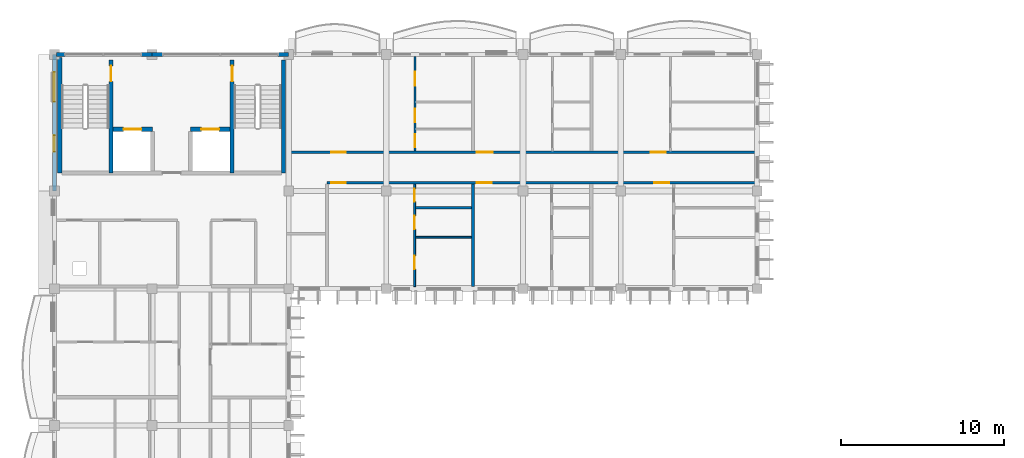
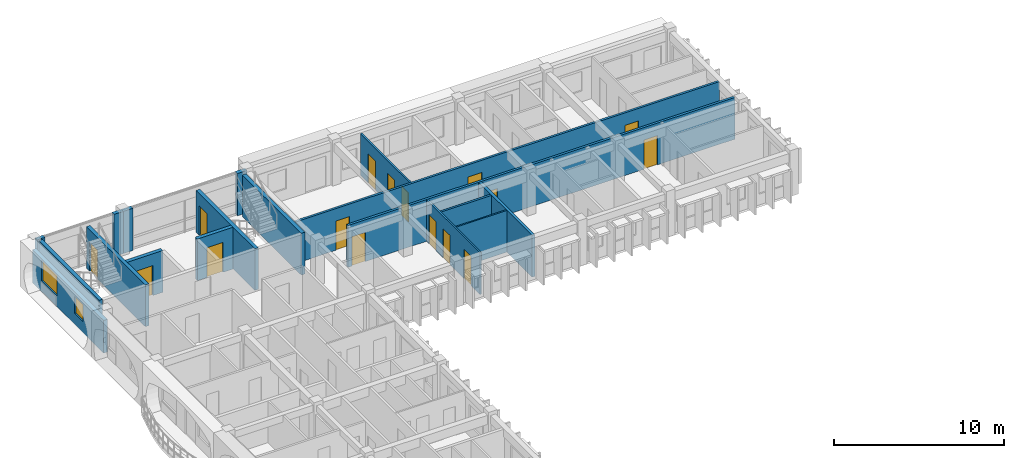
# One storey, part 18 of 45: 18 walls, 16 doors, 2 windows, 18 openings.
"""IFC4 building model written with IfcOpenShell, lengths in metres."""

from ifc_helpers import new_model, si_unit, direction, frame, frame_2d, origin, place, context, subcontext, project, spatial, rectangle, extrude, material, layer, layer_set, type_object, element, fill, save


model = new_model("IFC4")

# Units and contexts
model_context = context("Model", 3, precision=1e-05, world=origin(), true_north=direction((0.0, 1.0)))
body_context = subcontext(model_context, "Body", "Model", "MODEL_VIEW")
ifc_project = project(units=[si_unit("LENGTHUNIT", "METRE"), si_unit("AREAUNIT", "SQUARE_METRE"), si_unit("VOLUMEUNIT", "CUBIC_METRE"), si_unit("PLANEANGLEUNIT", "RADIAN"), si_unit("MASSUNIT", "GRAM", prefix="KILO"), si_unit("THERMODYNAMICTEMPERATUREUNIT", "KELVIN")], contexts=[model_context])

# Site, building, storey
site_placement = place(None, origin())
site = spatial("IfcSite", under=ifc_project, at=site_placement, CompositionType="ELEMENT")
building_placement = place(site_placement, origin())
building = spatial("IfcBuilding", under=site, at=building_placement, Name="Thalorik Housing Commons", CompositionType="ELEMENT")
storey_placement = place(building_placement, frame((0.0, 0.0, 34.5)))
storey = spatial("IfcBuildingStorey", under=building, at=storey_placement, Name="L10", CompositionType="ELEMENT", Elevation=34.5)

# Wall, opening, door
ifc_material_1 = material(Name="Concrete C40/50", Category="concrete")
ifc_layer_1 = layer(ifc_material_1, 0.25, Name="Concrete C40/50", Category="concrete")
ifc_layer_set_1 = layer_set([ifc_layer_1], Name="Concrete C40/50")
wall_type_1 = type_object("IfcWallType", Name="ARC-WAL-CORE-250", PredefinedType="SHEAR", material=ifc_layer_set_1)
wall_1_placement = place(storey_placement, frame((11.875, 123.25, 0.0), z_axis=(0.0, 0.0, 1.0), x_axis=(0.0, -1.0, 0.0)))
wall_1 = element("IfcWall", 1, at=wall_1_placement, inside=storey, type_object=wall_type_1, Name="L10 Core A Stair 1 Shear Wall", PredefinedType="SHEAR", context=body_context, shape_type="SweptSolid", body=[
    extrude(rectangle(XDim=6.925048828125, YDim=0.25, at=frame_2d((3.46240234375, 0.0))), origin(), (0.0, 0.0, 1.0), 3.0),
])
opening_1_placement = place(wall_1_placement, frame((0.35009765625, 0.0, 0.0)))
opening_1 = element("IfcOpeningElement", 2, at=opening_1_placement, cuts=wall_1, Name="Opening ID-0089", PredefinedType="OPENING", context=body_context, shape_type="SweptSolid", body=[
    extrude(rectangle(XDim=0.949951171875, YDim=2.10009765625, at=frame_2d((0.47509765625, 1.050048828125))), frame((0.0, 0.135009765625, 0.0), z_axis=(0.0, -1.0, 0.0), x_axis=(1.0, 0.0, 0.0)), (0.0, 0.0, 1.0), 0.27001953125),
])
ifc_material_2 = material(Name="Steel S355", Category="steel")
door_type_1 = type_object("IfcDoorType", Name="ARC-DR-FD60-950", OperationType="NOTDEFINED", PredefinedType="DOOR", material=ifc_material_2)
door_1_placement = place(opening_1_placement, origin())
door_1 = element("IfcDoor", 3, at=door_1_placement, inside=storey, type_object=door_type_1, Name="L10 Stair ST-A1 Fire Door", OperationType="SINGLE_SWING_RIGHT", OverallHeight=2.10009765625, OverallWidth=0.949951171875, PredefinedType="DOOR", context=body_context, shape_type="SweptSolid", body=[
    extrude(rectangle(XDim=0.949951171875, YDim=2.10009765625, at=frame_2d((0.47509765625, 1.050048828125))), frame((0.0, 0.02490234375, 0.0), z_axis=(0.0, -1.0, 0.0), x_axis=(1.0, 0.0, 0.0)), (0.0, 0.0, 1.0), 0.050048828125),
])
fill(opening_1, door_1)

# Walls
wall_2_placement = place(storey_placement, frame((8.72509765625, 123.39990234375, 0.0), z_axis=(0.0, 0.0, 1.0), x_axis=(0.0, -1.0, 0.0)))
element("IfcWall", 4, at=wall_2_placement, inside=storey, type_object=wall_type_1, Name="L10 Core A Stair 1 Outer Shear Wall", PredefinedType="SHEAR", context=body_context, shape_type="SweptSolid", body=[
    extrude(rectangle(XDim=7.074951171875, YDim=0.25, at=frame_2d((3.53759765625, 0.0))), origin(), (0.0, 0.0, 1.0), 3.0),
])
wall_3_placement = place(storey_placement, frame((22.47509765625, 123.25, 0.0), z_axis=(0.0, 0.0, 1.0), x_axis=(0.0, -1.0, 0.0)))
element("IfcWall", 5, at=wall_3_placement, inside=storey, type_object=wall_type_1, Name="L10 Core A Stair 2 Outer Shear Wall", PredefinedType="SHEAR", context=body_context, shape_type="SweptSolid", body=[
    extrude(rectangle(XDim=6.925048828125, YDim=0.25, at=frame_2d((3.46240234375, 0.0))), origin(), (0.0, 0.0, 1.0), 3.0),
])

# Wall, opening, door
wall_4_placement = place(storey_placement, frame((19.324951171875, 123.25, 0.0), z_axis=(0.0, 0.0, 1.0), x_axis=(0.0, -1.0, 0.0)))
wall_4 = element("IfcWall", 6, at=wall_4_placement, inside=storey, type_object=wall_type_1, Name="L10 Core A Stair 2 Shear Wall", PredefinedType="SHEAR", context=body_context, shape_type="SweptSolid", body=[
    extrude(rectangle(XDim=6.925048828125, YDim=0.25, at=frame_2d((3.46240234375, 0.0))), origin(), (0.0, 0.0, 1.0), 3.0),
])
opening_2_placement = place(wall_4_placement, frame((0.35009765625, 0.0, 0.0)))
opening_2 = element("IfcOpeningElement", 7, at=opening_2_placement, cuts=wall_4, Name="Opening ID-0090", PredefinedType="OPENING", context=body_context, shape_type="SweptSolid", body=[
    extrude(rectangle(XDim=0.949951171875, YDim=2.10009765625, at=frame_2d((0.47509765625, 1.050048828125))), frame((0.0, 0.135009765625, 0.0), z_axis=(0.0, -1.0, 0.0), x_axis=(1.0, 0.0, 0.0)), (0.0, 0.0, 1.0), 0.27001953125),
])
door_2_placement = place(opening_2_placement, origin())
door_2 = element("IfcDoor", 8, at=door_2_placement, inside=storey, type_object=door_type_1, Name="L10 Stair ST-A2 Fire Door", OperationType="SINGLE_SWING_LEFT", OverallHeight=2.10009765625, OverallWidth=0.949951171875, PredefinedType="DOOR", context=body_context, shape_type="SweptSolid", body=[
    extrude(rectangle(XDim=0.949951171875, YDim=2.10009765625, at=frame_2d((0.47509765625, 1.050048828125))), frame((0.0, 0.02490234375, 0.0), z_axis=(0.0, -1.0, 0.0), x_axis=(1.0, 0.0, 0.0)), (0.0, 0.0, 1.0), 0.050048828125),
])
fill(opening_2, door_2)

wall_5_placement = place(storey_placement, frame((12.0, 119.0, 0.0), z_axis=(0.0, 0.0, 1.0), x_axis=(1.0, 0.0, 0.0)))
wall_5 = element("IfcWall", 9, at=wall_5_placement, inside=storey, type_object=wall_type_1, Name="L10 Lift LF-A1 Front Shaft Wall", PredefinedType="SHEAR", context=body_context, shape_type="SweptSolid", body=[
    extrude(rectangle(XDim=2.425048828125, YDim=0.25, at=frame_2d((1.21240234375, 0.0))), origin(), (0.0, 0.0, 1.0), 3.0),
])
opening_3_placement = place(wall_5_placement, frame((0.64990234375, 0.0, 0.0)))
opening_3 = element("IfcOpeningElement", 10, at=opening_3_placement, cuts=wall_5, Name="Opening LD-LF-A1-L10", PredefinedType="OPENING", context=body_context, shape_type="SweptSolid", body=[
    extrude(rectangle(XDim=1.10009765625, YDim=2.14990234375, at=frame_2d((0.550048828125, 1.074951171875))), frame((0.0, 0.135009765625, 0.0), z_axis=(0.0, -1.0, 0.0), x_axis=(1.0, 0.0, 0.0)), (0.0, 0.0, 1.0), 0.27001953125),
])
door_type_2 = type_object("IfcDoorType", Name="ARC-DR-LIFT-1100", OperationType="NOTDEFINED", PredefinedType="DOOR", material=ifc_material_2)
door_3_placement = place(opening_3_placement, origin())
door_3 = element("IfcDoor", 11, at=door_3_placement, inside=storey, type_object=door_type_2, Name="L10 Lift LF-A1 Landing Door", OperationType="SLIDING_TO_LEFT", OverallHeight=2.14990234375, OverallWidth=1.10009765625, PredefinedType="DOOR", context=body_context, shape_type="SweptSolid", body=[
    extrude(rectangle(XDim=1.10009765625, YDim=2.14990234375, at=frame_2d((0.550048828125, 1.074951171875))), frame((0.0, 0.02490234375, 0.0), z_axis=(0.0, -1.0, 0.0), x_axis=(1.0, 0.0, 0.0)), (0.0, 0.0, 1.0), 0.050048828125),
])
fill(opening_3, door_3)

wall_6_placement = place(storey_placement, frame((16.77490234375, 119.0, 0.0), z_axis=(0.0, 0.0, 1.0), x_axis=(1.0, 0.0, 0.0)))
wall_6 = element("IfcWall", 12, at=wall_6_placement, inside=storey, type_object=wall_type_1, Name="L10 Lift LP-A2 Front Shaft Wall", PredefinedType="SHEAR", context=body_context, shape_type="SweptSolid", body=[
    extrude(rectangle(XDim=2.425048828125, YDim=0.25, at=frame_2d((1.21240234375, 0.0))), origin(), (0.0, 0.0, 1.0), 3.0),
])
opening_4_placement = place(wall_6_placement, frame((0.64990234375, 0.0, 0.0)))
opening_4 = element("IfcOpeningElement", 13, at=opening_4_placement, cuts=wall_6, Name="Opening LD-LP-A2-L10", PredefinedType="OPENING", context=body_context, shape_type="SweptSolid", body=[
    extrude(rectangle(XDim=1.10009765625, YDim=2.14990234375, at=frame_2d((0.550048828125, 1.074951171875))), frame((0.0, 0.135009765625, 0.0), z_axis=(0.0, -1.0, 0.0), x_axis=(1.0, 0.0, 0.0)), (0.0, 0.0, 1.0), 0.27001953125),
])
door_4_placement = place(opening_4_placement, origin())
door_4 = element("IfcDoor", 14, at=door_4_placement, inside=storey, type_object=door_type_2, Name="L10 Lift LP-A2 Landing Door", OperationType="SLIDING_TO_LEFT", OverallHeight=2.14990234375, OverallWidth=1.10009765625, PredefinedType="DOOR", context=body_context, shape_type="SweptSolid", body=[
    extrude(rectangle(XDim=1.10009765625, YDim=2.14990234375, at=frame_2d((0.550048828125, 1.074951171875))), frame((0.0, 0.02490234375, 0.0), z_axis=(0.0, -1.0, 0.0), x_axis=(1.0, 0.0, 0.0)), (0.0, 0.0, 1.0), 0.050048828125),
])
fill(opening_4, door_4)

# Wall, openings, doors
ifc_material_3 = material(Name="Masonry fire-rated corridor wall", Category="masonry")
ifc_layer_2 = layer(ifc_material_3, 0.14990234375, Name="Masonry fire-rated corridor wall", Category="masonry")
ifc_layer_set_2 = layer_set([ifc_layer_2], Name="Masonry fire-rated corridor wall")
wall_type_2 = type_object("IfcWallType", Name="ARC-WAL-CORR-150", PredefinedType="PARTITIONING", material=ifc_layer_set_2)
wall_7_placement = place(storey_placement, frame((22.659912109375, 117.580078125, 0.0), z_axis=(0.0, 0.0, 1.0), x_axis=(1.0, 0.0, 0.0)))
wall_7 = element("IfcWall", 15, at=wall_7_placement, inside=storey, type_object=wall_type_2, Name="L10 Block A N Corridor Wall 2", PredefinedType="PARTITIONING", context=body_context, shape_type="SweptSolid", body=[
    extrude(rectangle(XDim=28.8056640625, YDim=0.14990234375, at=frame_2d((14.40283203125, 0.0))), origin(), (0.0, 0.0, 1.0), 3.0),
])
opening_5_placement = place(wall_7_placement, frame((2.739990234375, 0.0, 0.0)))
opening_5 = element("IfcOpeningElement", 16, at=opening_5_placement, cuts=wall_7, Name="Opening ID-0834", PredefinedType="OPENING", context=body_context, shape_type="SweptSolid", body=[
    extrude(rectangle(XDim=0.919921875, YDim=2.10009765625, at=frame_2d((0.4599609375, 1.050048828125))), frame((0.0, 0.0849609375, 0.0), z_axis=(0.0, -1.0, 0.0), x_axis=(1.0, 0.0, 0.0)), (0.0, 0.0, 1.0), 0.169921875),
])
opening_6_placement = place(wall_7_placement, frame((11.7099609375, 0.0, 0.0)))
opening_6 = element("IfcOpeningElement", 17, at=opening_6_placement, cuts=wall_7, Name="Opening ID-0835", PredefinedType="OPENING", context=body_context, shape_type="SweptSolid", body=[
    extrude(rectangle(XDim=0.9599609375, YDim=2.1201171875, at=frame_2d((0.47998046875, 1.06005859375))), frame((0.0, 0.0849609375, 0.0), z_axis=(0.0, -1.0, 0.0), x_axis=(1.0, 0.0, 0.0)), (0.0, 0.0, 1.0), 0.169921875),
])
opening_7_placement = place(wall_7_placement, frame((22.397216796875, 0.0, 0.0)))
opening_7 = element("IfcOpeningElement", 18, at=opening_7_placement, cuts=wall_7, Name="Opening ID-0836", PredefinedType="OPENING", context=body_context, shape_type="SweptSolid", body=[
    extrude(rectangle(XDim=0.919921875, YDim=2.10009765625, at=frame_2d((0.4599609375, 1.050048828125))), frame((0.0, 0.0849609375, 0.0), z_axis=(0.0, -1.0, 0.0), x_axis=(1.0, 0.0, 0.0)), (0.0, 0.0, 1.0), 0.169921875),
])
ifc_material_4 = material(Name="Solid core hardwood timber", Category="wood")
door_type_3 = type_object("IfcDoorType", Name="ARC-DR-FD30-920", OperationType="NOTDEFINED", PredefinedType="DOOR", material=ifc_material_4)
door_5_placement = place(opening_5_placement, origin())
door_5 = element("IfcDoor", 19, at=door_5_placement, inside=storey, type_object=door_type_3, Name="L10 Flat AN-1B Entrance Door", OperationType="SINGLE_SWING_LEFT", OverallHeight=2.10009765625, OverallWidth=0.919921875, PredefinedType="DOOR", context=body_context, shape_type="SweptSolid", body=[
    extrude(rectangle(XDim=0.919921875, YDim=2.10009765625, at=frame_2d((0.4599609375, 1.050048828125))), frame((0.0, 0.02490234375, 0.0), z_axis=(0.0, -1.0, 0.0), x_axis=(1.0, 0.0, 0.0)), (0.0, 0.0, 1.0), 0.050048828125),
])
fill(opening_5, door_5)
door_6_placement = place(opening_7_placement, origin())
door_6 = element("IfcDoor", 20, at=door_6_placement, inside=storey, type_object=door_type_3, Name="L10 Flat AN-3B Entrance Door", OperationType="SINGLE_SWING_LEFT", OverallHeight=2.10009765625, OverallWidth=0.919921875, PredefinedType="DOOR", context=body_context, shape_type="SweptSolid", body=[
    extrude(rectangle(XDim=0.919921875, YDim=2.10009765625, at=frame_2d((0.4599609375, 1.050048828125))), frame((0.0, 0.02490234375, 0.0), z_axis=(0.0, -1.0, 0.0), x_axis=(1.0, 0.0, 0.0)), (0.0, 0.0, 1.0), 0.050048828125),
])
fill(opening_7, door_6)
door_type_4 = type_object("IfcDoorType", Name="ARC-DR-FD30-960", OperationType="NOTDEFINED", PredefinedType="DOOR", material=ifc_material_4)
door_7_placement = place(opening_6_placement, origin())
door_7 = element("IfcDoor", 21, at=door_7_placement, inside=storey, type_object=door_type_4, Name="L10 Flat AN-2B Entrance Door", OperationType="SINGLE_SWING_RIGHT", OverallHeight=2.1201171875, OverallWidth=0.9599609375, PredefinedType="DOOR", context=body_context, shape_type="SweptSolid", body=[
    extrude(rectangle(XDim=0.9599609375, YDim=2.1201171875, at=frame_2d((0.47998046875, 1.06005859375))), frame((0.0, 0.02490234375, 0.0), z_axis=(0.0, -1.0, 0.0), x_axis=(1.0, 0.0, 0.0)), (0.0, 0.0, 1.0), 0.050048828125),
])
fill(opening_6, door_7)

ifc_layer_3 = layer(ifc_material_3, 0.1650390625, Name="Masonry fire-rated corridor wall", Category="masonry")
ifc_layer_set_3 = layer_set([ifc_layer_3], Name="Masonry fire-rated corridor wall")
wall_type_3 = type_object("IfcWallType", Name="ARC-WAL-CORR-165", PredefinedType="PARTITIONING", material=ifc_layer_set_3)
wall_8_placement = place(storey_placement, frame((25.14990234375, 115.719970703125, 0.0), z_axis=(0.0, 0.0, 1.0), x_axis=(1.0, 0.0, 0.0)))
wall_8 = element("IfcWall", 22, at=wall_8_placement, inside=storey, type_object=wall_type_3, Name="L10 Block A N Corridor Wall 1", PredefinedType="PARTITIONING", context=body_context, shape_type="SweptSolid", body=[
    extrude(rectangle(XDim=26.315673828125, YDim=0.1650390625, at=frame_2d((13.15771484375, 0.0))), origin(), (0.0, 0.0, 1.0), 3.0),
])
opening_8_placement = place(wall_8_placement, frame((0.25, 0.0, 0.0)))
opening_8 = element("IfcOpeningElement", 23, at=opening_8_placement, cuts=wall_8, Name="Opening ID-0831", PredefinedType="OPENING", context=body_context, shape_type="SweptSolid", body=[
    extrude(rectangle(XDim=0.919921875, YDim=2.10009765625, at=frame_2d((0.4599609375, 1.050048828125))), frame((0.0, 0.092529296875, 0.0), z_axis=(0.0, -1.0, 0.0), x_axis=(1.0, 0.0, 0.0)), (0.0, 0.0, 1.0), 0.18505859375),
])
opening_9_placement = place(wall_8_placement, frame((9.219970703125, 0.0, 0.0)))
opening_9 = element("IfcOpeningElement", 24, at=opening_9_placement, cuts=wall_8, Name="Opening ID-0832", PredefinedType="OPENING", context=body_context, shape_type="SweptSolid", body=[
    extrude(rectangle(XDim=0.919921875, YDim=2.10009765625, at=frame_2d((0.4599609375, 1.050048828125))), frame((0.0, 0.092529296875, 0.0), z_axis=(0.0, -1.0, 0.0), x_axis=(1.0, 0.0, 0.0)), (0.0, 0.0, 1.0), 0.18505859375),
])
opening_10_placement = place(wall_8_placement, frame((20.110107421875, 0.0, 0.0)))
opening_10 = element("IfcOpeningElement", 25, at=opening_10_placement, cuts=wall_8, Name="Opening ID-0833", PredefinedType="OPENING", context=body_context, shape_type="SweptSolid", body=[
    extrude(rectangle(XDim=0.919921875, YDim=2.10009765625, at=frame_2d((0.4599609375, 1.050048828125))), frame((0.0, 0.092529296875, 0.0), z_axis=(0.0, -1.0, 0.0), x_axis=(1.0, 0.0, 0.0)), (0.0, 0.0, 1.0), 0.18505859375),
])
door_8_placement = place(opening_8_placement, origin())
door_8 = element("IfcDoor", 26, at=door_8_placement, inside=storey, type_object=door_type_3, Name="L10 Flat AN-1A Entrance Door", OperationType="SINGLE_SWING_RIGHT", OverallHeight=2.10009765625, OverallWidth=0.919921875, PredefinedType="DOOR", context=body_context, shape_type="SweptSolid", body=[
    extrude(rectangle(XDim=0.919921875, YDim=2.10009765625, at=frame_2d((0.4599609375, 1.050048828125))), frame((0.0, 0.02490234375, 0.0), z_axis=(0.0, -1.0, 0.0), x_axis=(1.0, 0.0, 0.0)), (0.0, 0.0, 1.0), 0.050048828125),
])
fill(opening_8, door_8)
door_9_placement = place(opening_9_placement, origin())
door_9 = element("IfcDoor", 27, at=door_9_placement, inside=storey, type_object=door_type_3, Name="L10 Flat AN-2A Entrance Door", OperationType="SINGLE_SWING_LEFT", OverallHeight=2.10009765625, OverallWidth=0.919921875, PredefinedType="DOOR", context=body_context, shape_type="SweptSolid", body=[
    extrude(rectangle(XDim=0.919921875, YDim=2.10009765625, at=frame_2d((0.4599609375, 1.050048828125))), frame((0.0, 0.02490234375, 0.0), z_axis=(0.0, -1.0, 0.0), x_axis=(1.0, 0.0, 0.0)), (0.0, 0.0, 1.0), 0.050048828125),
])
fill(opening_9, door_9)
door_10_placement = place(opening_10_placement, origin())
door_10 = element("IfcDoor", 28, at=door_10_placement, inside=storey, type_object=door_type_3, Name="L10 Flat AN-3A Entrance Door", OperationType="SINGLE_SWING_RIGHT", OverallHeight=2.10009765625, OverallWidth=0.919921875, PredefinedType="DOOR", context=body_context, shape_type="SweptSolid", body=[
    extrude(rectangle(XDim=0.919921875, YDim=2.10009765625, at=frame_2d((0.4599609375, 1.050048828125))), frame((0.0, 0.02490234375, 0.0), z_axis=(0.0, -1.0, 0.0), x_axis=(1.0, 0.0, 0.0)), (0.0, 0.0, 1.0), 0.050048828125),
])
fill(opening_10, door_10)

# Walls
ifc_material_5 = material(Name="White precast concrete C40/50", Category="concrete")
ifc_layer_4 = layer(ifc_material_5, 0.264892578125, Name="White precast concrete C40/50", Category="concrete")
ifc_layer_set_4 = layer_set([ifc_layer_4], Name="White precast concrete C40/50")
wall_type_4 = type_object("IfcWallType", Name="ARC-WAL-EXT-265", PredefinedType="STANDARD", material=ifc_layer_set_4)
for number, where, z_axis, x_axis, name in (
    (29, (22.800048828125, 123.60009765625, 0.0), (0.0, 0.0, 1.0), (-1.0, 0.0, 0.0), "L10 Exterior Wall WAL-PIERL-L10-A-0267"),
    (30, (15.050048828125, 123.60009765625, 0.0), (0.0, 0.0, 1.0), (-1.0, 0.0, 0.0), "L10 Exterior Wall WAL-PIERR-L10-A-0267"),
):
    element("IfcWall", number, at=place(storey_placement, frame(where, z_axis=z_axis, x_axis=x_axis)), inside=storey, type_object=wall_type_4, Name=name, PredefinedType="STANDARD", context=body_context, shape_type="SweptSolid", body=[
        extrude(rectangle(XDim=0.650146484375, YDim=0.264892578125, at=frame_2d((0.3251953125, 0.0))), origin(), (0.0, 0.0, 1.0), 3.0400390625),
    ])
wall_9_placement = place(storey_placement, frame((14.39990234375, 123.60009765625, 0.0), z_axis=(0.0, 0.0, 1.0), x_axis=(-1.0, 0.0, 0.0)))
element("IfcWall", 31, at=wall_9_placement, inside=storey, type_object=wall_type_4, Name="L10 Exterior Wall WAL-PIERL-L10-A-0268", PredefinedType="STANDARD", context=body_context, shape_type="SweptSolid", body=[
    extrude(rectangle(XDim=0.64990234375, YDim=0.264892578125, at=frame_2d((0.324951171875, 0.0))), origin(), (0.0, 0.0, 1.0), 3.0400390625),
])
wall_10_placement = place(storey_placement, frame((9.050048828125, 123.60009765625, 0.0), z_axis=(0.0, 0.0, 1.0), x_axis=(-1.0, 0.0, 0.0)))
element("IfcWall", 32, at=wall_10_placement, inside=storey, type_object=wall_type_4, Name="L10 Exterior Wall WAL-PIERR-L10-A-0268", PredefinedType="STANDARD", context=body_context, shape_type="SweptSolid", body=[
    extrude(rectangle(XDim=0.515625, YDim=0.264892578125, at=frame_2d((0.2578125, 0.0))), origin(), (0.0, 0.0, 1.0), 3.0400390625),
])

# Wall, openings, windows
wall_11_placement = place(storey_placement, frame((8.39990234375, 123.60009765625, 0.0), z_axis=(0.0, 0.0, 1.0), x_axis=(0.0, -1.0, 0.0)))
wall_11 = element("IfcWall", 33, at=wall_11_placement, inside=storey, type_object=wall_type_4, Name="L10 Exterior Wall WAL-EXT-L10-A-0269", PredefinedType="STANDARD", context=body_context, shape_type="SweptSolid", body=[
    extrude(rectangle(XDim=8.400146484375, YDim=0.264892578125, at=frame_2d((4.2001953125, 0.0))), origin(), (0.0, 0.0, 1.0), 2.344970703125),
])
opening_11_placement = place(wall_11_placement, frame((1.086181640625, 0.0, 0.780029296875)))
opening_11 = element("IfcOpeningElement", 34, at=opening_11_placement, cuts=wall_11, Name="Opening W-58", PredefinedType="OPENING", context=body_context, shape_type="SweptSolid", body=[
    extrude(rectangle(XDim=1.820068359375, YDim=1.4599609375, at=frame_2d((0.91015625, 0.72998046875))), frame((0.0, 0.142578125, 0.0), z_axis=(0.0, -1.0, 0.0), x_axis=(1.0, 0.0, 0.0)), (0.0, 0.0, 1.0), 0.284912109375),
])
opening_12_placement = place(wall_11_placement, frame((4.96875, 0.0, 0.780029296875)))
opening_12 = element("IfcOpeningElement", 35, at=opening_12_placement, cuts=wall_11, Name="Opening W-02", PredefinedType="OPENING", context=body_context, shape_type="SweptSolid", body=[
    extrude(rectangle(XDim=1.0, YDim=1.25, at=frame_2d((0.5, 0.625))), frame((0.0, 0.142578125, 0.0), z_axis=(0.0, -1.0, 0.0), x_axis=(1.0, 0.0, 0.0)), (0.0, 0.0, 1.0), 0.284912109375),
])
ifc_material_6 = material(Name="Anodised aluminium and solar-control low-E glass", Category="aluminium")
window_type_1 = type_object("IfcWindowType", Name="ARC-WIN-02", PartitioningType="SINGLE_PANEL", PredefinedType="WINDOW", material=ifc_material_6)
window_1_placement = place(opening_12_placement, origin())
window_1 = element("IfcWindow", 36, at=window_1_placement, inside=storey, type_object=window_type_1, Name="L10 Facade Window 485", OverallHeight=1.25, OverallWidth=1.0, PartitioningType="SINGLE_PANEL", PredefinedType="WINDOW", context=body_context, shape_type="SweptSolid", body=[
    extrude(rectangle(XDim=1.0, YDim=1.25, at=frame_2d((0.5, 0.625))), frame((0.0, 0.030029296875, 0.0), z_axis=(0.0, -1.0, 0.0), x_axis=(1.0, 0.0, 0.0)), (0.0, 0.0, 1.0), 0.06005859375),
])
fill(opening_12, window_1)
window_type_2 = type_object("IfcWindowType", Name="ARC-WIN-58", PartitioningType="DOUBLE_PANEL_VERTICAL", PredefinedType="WINDOW", material=ifc_material_6)
window_2_placement = place(opening_11_placement, origin())
window_2 = element("IfcWindow", 37, at=window_2_placement, inside=storey, type_object=window_type_2, Name="L10 Facade Window 484", OverallHeight=1.4599609375, OverallWidth=1.820068359375, PartitioningType="DOUBLE_PANEL_VERTICAL", PredefinedType="WINDOW", context=body_context, shape_type="SweptSolid", body=[
    extrude(rectangle(XDim=1.820068359375, YDim=1.4599609375, at=frame_2d((0.91015625, 0.72998046875))), frame((0.0, 0.030029296875, 0.0), z_axis=(0.0, -1.0, 0.0), x_axis=(1.0, 0.0, 0.0)), (0.0, 0.0, 1.0), 0.06005859375),
])
fill(opening_11, window_2)

# Wall
ifc_material_7 = material(Name="Gypsum light stud partition", Category="masonry")
ifc_layer_5 = layer(ifc_material_7, 0.10009765625, Name="Gypsum light stud partition", Category="masonry")
ifc_layer_set_5 = layer_set([ifc_layer_5], Name="Gypsum light stud partition")
wall_type_5 = type_object("IfcWallType", Name="ARC-WAL-PART-100", PredefinedType="PARTITIONING", material=ifc_layer_set_5)
wall_12_placement = place(storey_placement, frame((30.594482421875, 112.36083984375, 0.0), z_axis=(0.0, 0.0, 1.0), x_axis=(1.0, 0.0, 0.0)))
element("IfcWall", 38, at=wall_12_placement, inside=storey, type_object=wall_type_5, Name="L10 Unit 1 Bedroom Partition", PredefinedType="PARTITIONING", context=body_context, shape_type="SweptSolid", body=[
    extrude(rectangle(XDim=3.430908203125, YDim=0.10009765625, at=frame_2d((1.71533203125, 0.0))), origin(), (0.0, 0.0, 1.0), 3.0),
])

# Wall, openings, doors
ifc_material_8 = material(Name="Gypsum moisture-resistant partition", Category="masonry")
ifc_layer_6 = layer(ifc_material_8, 0.114990234375, Name="Gypsum moisture-resistant partition", Category="masonry")
ifc_layer_set_6 = layer_set([ifc_layer_6], Name="Gypsum moisture-resistant partition")
wall_type_6 = type_object("IfcWallType", Name="ARC-WAL-PART-115", PredefinedType="PARTITIONING", material=ifc_layer_set_6)
wall_13_placement = place(storey_placement, frame((30.534912109375, 109.33447265625, 0.0), z_axis=(0.0, 0.0, 1.0), x_axis=(0.0, 1.0, 0.0)))
wall_13 = element("IfcWall", 39, at=wall_13_placement, inside=storey, type_object=wall_type_6, Name="L10 Unit 1 Spine Partition", PredefinedType="PARTITIONING", context=body_context, shape_type="SweptSolid", body=[
    extrude(rectangle(XDim=6.301025390625, YDim=0.114990234375, at=frame_2d((3.150390625, 0.0))), origin(), (0.0, 0.0, 1.0), 3.0),
])
opening_13_placement = place(wall_13_placement, frame((1.05078125, 0.0, 0.0)))
opening_13 = element("IfcOpeningElement", 40, at=opening_13_placement, cuts=wall_13, Name="Opening ID-0813", PredefinedType="OPENING", context=body_context, shape_type="SweptSolid", body=[
    extrude(rectangle(XDim=0.85009765625, YDim=2.10009765625, at=frame_2d((0.425048828125, 1.050048828125))), frame((0.0, 0.0673828125, 0.0), z_axis=(0.0, -1.0, 0.0), x_axis=(1.0, 0.0, 0.0)), (0.0, 0.0, 1.0), 0.135009765625),
])
opening_14_placement = place(wall_13_placement, frame((3.505615234375, 0.0, 0.0)))
opening_14 = element("IfcOpeningElement", 41, at=opening_14_placement, cuts=wall_13, Name="Opening ID-0814", PredefinedType="OPENING", context=body_context, shape_type="SweptSolid", body=[
    extrude(rectangle(XDim=0.85009765625, YDim=2.10009765625, at=frame_2d((0.425048828125, 1.050048828125))), frame((0.0, 0.0673828125, 0.0), z_axis=(0.0, -1.0, 0.0), x_axis=(1.0, 0.0, 0.0)), (0.0, 0.0, 1.0), 0.135009765625),
])
opening_15_placement = place(wall_13_placement, frame((5.210205078125, 0.0, 0.0)))
opening_15 = element("IfcOpeningElement", 42, at=opening_15_placement, cuts=wall_13, Name="Opening ID-0815", PredefinedType="OPENING", context=body_context, shape_type="SweptSolid", body=[
    extrude(rectangle(XDim=0.800048828125, YDim=2.10009765625, at=frame_2d((0.39990234375, 1.050048828125))), frame((0.0, 0.0673828125, 0.0), z_axis=(0.0, -1.0, 0.0), x_axis=(1.0, 0.0, 0.0)), (0.0, 0.0, 1.0), 0.135009765625),
])
ifc_material_9 = material(Name="Moisture-resistant timber", Category="wood")
door_type_5 = type_object("IfcDoorType", Name="ARC-DR-INT-800", OperationType="NOTDEFINED", PredefinedType="DOOR", material=ifc_material_9)
door_11_placement = place(opening_15_placement, origin())
door_11 = element("IfcDoor", 43, at=door_11_placement, inside=storey, type_object=door_type_5, Name="L10 Flat Bathroom Door", OperationType="SINGLE_SWING_RIGHT", OverallHeight=2.10009765625, OverallWidth=0.800048828125, PredefinedType="DOOR", context=body_context, shape_type="SweptSolid", body=[
    extrude(rectangle(XDim=0.800048828125, YDim=2.10009765625, at=frame_2d((0.39990234375, 1.050048828125))), frame((0.0, 0.02490234375, 0.0), z_axis=(0.0, -1.0, 0.0), x_axis=(1.0, 0.0, 0.0)), (0.0, 0.0, 1.0), 0.050048828125),
])
fill(opening_15, door_11)
ifc_material_10 = material(Name="Engineered oak timber", Category="wood")
door_type_6 = type_object("IfcDoorType", Name="ARC-DR-INT-850", OperationType="NOTDEFINED", PredefinedType="DOOR", material=ifc_material_10)
door_12_placement = place(opening_13_placement, origin())
door_12 = element("IfcDoor", 44, at=door_12_placement, inside=storey, type_object=door_type_6, Name="L10 Double Bedroom Door", OperationType="SINGLE_SWING_RIGHT", OverallHeight=2.10009765625, OverallWidth=0.85009765625, PredefinedType="DOOR", context=body_context, shape_type="SweptSolid", body=[
    extrude(rectangle(XDim=0.85009765625, YDim=2.10009765625, at=frame_2d((0.425048828125, 1.050048828125))), frame((0.0, 0.02490234375, 0.0), z_axis=(0.0, -1.0, 0.0), x_axis=(1.0, 0.0, 0.0)), (0.0, 0.0, 1.0), 0.050048828125),
])
fill(opening_13, door_12)
door_13_placement = place(opening_14_placement, origin())
door_13 = element("IfcDoor", 45, at=door_13_placement, inside=storey, type_object=door_type_6, Name="L10 Galley Kitchen Door", OperationType="SINGLE_SWING_LEFT", OverallHeight=2.10009765625, OverallWidth=0.85009765625, PredefinedType="DOOR", context=body_context, shape_type="SweptSolid", body=[
    extrude(rectangle(XDim=0.85009765625, YDim=2.10009765625, at=frame_2d((0.425048828125, 1.050048828125))), frame((0.0, 0.02490234375, 0.0), z_axis=(0.0, -1.0, 0.0), x_axis=(1.0, 0.0, 0.0)), (0.0, 0.0, 1.0), 0.050048828125),
])
fill(opening_14, door_13)

ifc_material_11 = material(Name="Gypsum acoustic stud partition", Category="masonry")
ifc_layer_7 = layer(ifc_material_11, 0.125, Name="Gypsum acoustic stud partition", Category="masonry")
ifc_layer_set_7 = layer_set([ifc_layer_7], Name="Gypsum acoustic stud partition")
wall_type_7 = type_object("IfcWallType", Name="ARC-WAL-PART-125", PredefinedType="PARTITIONING", material=ifc_layer_set_7)
wall_14_placement = place(storey_placement, frame((30.5556640625, 117.656982421875, 0.0), z_axis=(0.0, 0.0, 1.0), x_axis=(0.0, 1.0, 0.0)))
wall_14 = element("IfcWall", 46, at=wall_14_placement, inside=storey, type_object=wall_type_7, Name="L10 Unit 1B Spine Partition", PredefinedType="PARTITIONING", context=body_context, shape_type="SweptSolid", body=[
    extrude(rectangle(XDim=5.80859375, YDim=0.125, at=frame_2d((2.904296875, 0.0))), origin(), (0.0, 0.0, 1.0), 3.0),
])
opening_16_placement = place(wall_14_placement, frame((0.23828125, 0.0, 0.0)))
opening_16 = element("IfcOpeningElement", 47, at=opening_16_placement, cuts=wall_14, Name="Opening ID-0816", PredefinedType="OPENING", context=body_context, shape_type="SweptSolid", body=[
    extrude(rectangle(XDim=0.800048828125, YDim=2.10009765625, at=frame_2d((0.39990234375, 1.050048828125))), frame((0.0, 0.072509765625, 0.0), z_axis=(0.0, -1.0, 0.0), x_axis=(1.0, 0.0, 0.0)), (0.0, 0.0, 1.0), 0.14501953125),
])
opening_17_placement = place(wall_14_placement, frame((1.7626953125, 0.0, 0.0)))
opening_17 = element("IfcOpeningElement", 48, at=opening_17_placement, cuts=wall_14, Name="Opening ID-0817", PredefinedType="OPENING", context=body_context, shape_type="SweptSolid", body=[
    extrude(rectangle(XDim=0.85009765625, YDim=2.10009765625, at=frame_2d((0.425048828125, 1.050048828125))), frame((0.0, 0.072509765625, 0.0), z_axis=(0.0, -1.0, 0.0), x_axis=(1.0, 0.0, 0.0)), (0.0, 0.0, 1.0), 0.14501953125),
])
opening_18_placement = place(wall_14_placement, frame((4.027587890625, 0.0, 0.0)))
opening_18 = element("IfcOpeningElement", 49, at=opening_18_placement, cuts=wall_14, Name="Opening ID-0818", PredefinedType="OPENING", context=body_context, shape_type="SweptSolid", body=[
    extrude(rectangle(XDim=0.85009765625, YDim=2.10009765625, at=frame_2d((0.425048828125, 1.050048828125))), frame((0.0, 0.072509765625, 0.0), z_axis=(0.0, -1.0, 0.0), x_axis=(1.0, 0.0, 0.0)), (0.0, 0.0, 1.0), 0.14501953125),
])
door_14_placement = place(opening_16_placement, origin())
door_14 = element("IfcDoor", 50, at=door_14_placement, inside=storey, type_object=door_type_5, Name="L10 Accessible Bathroom Door", OperationType="SINGLE_SWING_LEFT", OverallHeight=2.10009765625, OverallWidth=0.800048828125, PredefinedType="DOOR", context=body_context, shape_type="SweptSolid", body=[
    extrude(rectangle(XDim=0.800048828125, YDim=2.10009765625, at=frame_2d((0.39990234375, 1.050048828125))), frame((0.0, 0.02490234375, 0.0), z_axis=(0.0, -1.0, 0.0), x_axis=(1.0, 0.0, 0.0)), (0.0, 0.0, 1.0), 0.050048828125),
])
fill(opening_16, door_14)
door_15_placement = place(opening_17_placement, origin())
door_15 = element("IfcDoor", 51, at=door_15_placement, inside=storey, type_object=door_type_6, Name="L10 Eat-In Kitchen Door", OperationType="SINGLE_SWING_RIGHT", OverallHeight=2.10009765625, OverallWidth=0.85009765625, PredefinedType="DOOR", context=body_context, shape_type="SweptSolid", body=[
    extrude(rectangle(XDim=0.85009765625, YDim=2.10009765625, at=frame_2d((0.425048828125, 1.050048828125))), frame((0.0, 0.02490234375, 0.0), z_axis=(0.0, -1.0, 0.0), x_axis=(1.0, 0.0, 0.0)), (0.0, 0.0, 1.0), 0.050048828125),
])
fill(opening_17, door_15)
door_16_placement = place(opening_18_placement, origin())
door_16 = element("IfcDoor", 52, at=door_16_placement, inside=storey, type_object=door_type_6, Name="L10 Master Bedroom Door", OperationType="SINGLE_SWING_LEFT", OverallHeight=2.10009765625, OverallWidth=0.85009765625, PredefinedType="DOOR", context=body_context, shape_type="SweptSolid", body=[
    extrude(rectangle(XDim=0.85009765625, YDim=2.10009765625, at=frame_2d((0.425048828125, 1.050048828125))), frame((0.0, 0.02490234375, 0.0), z_axis=(0.0, -1.0, 0.0), x_axis=(1.0, 0.0, 0.0)), (0.0, 0.0, 1.0), 0.050048828125),
])
fill(opening_18, door_16)

# Walls
ifc_material_12 = material(Name="Ceramic masonry partition wall", Category="masonry")
ifc_layer_8 = layer(ifc_material_12, 0.139892578125, Name="Ceramic masonry partition wall", Category="masonry")
ifc_layer_set_8 = layer_set([ifc_layer_8], Name="Ceramic masonry partition wall")
wall_type_8 = type_object("IfcWallType", Name="ARC-WAL-PART-140", PredefinedType="PARTITIONING", material=ifc_layer_set_8)
wall_15_placement = place(storey_placement, frame((30.594482421875, 114.169677734375, 0.0), z_axis=(0.0, 0.0, 1.0), x_axis=(1.0, 0.0, 0.0)))
element("IfcWall", 53, at=wall_15_placement, inside=storey, type_object=wall_type_8, Name="L10 Unit 1 Wet Wall", PredefinedType="PARTITIONING", context=body_context, shape_type="SweptSolid", body=[
    extrude(rectangle(XDim=3.430908203125, YDim=0.139892578125, at=frame_2d((1.71533203125, 0.0))), origin(), (0.0, 0.0, 1.0), 3.0),
])
ifc_material_13 = material(Name="Masonry acoustic blockwork wall", Category="masonry")
ifc_layer_9 = layer(ifc_material_13, 0.18505859375, Name="Masonry acoustic blockwork wall", Category="masonry")
ifc_layer_set_9 = layer_set([ifc_layer_9], Name="Masonry acoustic blockwork wall")
wall_type_9 = type_object("IfcWallType", Name="ARC-WAL-PARTY-185", PredefinedType="PARTITIONING", material=ifc_layer_set_9)
wall_16_placement = place(storey_placement, frame((34.1201171875, 109.33447265625, 0.0), z_axis=(0.0, 0.0, 1.0), x_axis=(0.0, 1.0, 0.0)))
element("IfcWall", 54, at=wall_16_placement, inside=storey, type_object=wall_type_9, Name="L10 Inter-Tenancy Wall 1A", PredefinedType="PARTITIONING", context=body_context, shape_type="SweptSolid", body=[
    extrude(rectangle(XDim=6.301025390625, YDim=0.18505859375, at=frame_2d((3.150390625, 0.0))), origin(), (0.0, 0.0, 1.0), 3.0),
])

save(model, "model.ifc")
